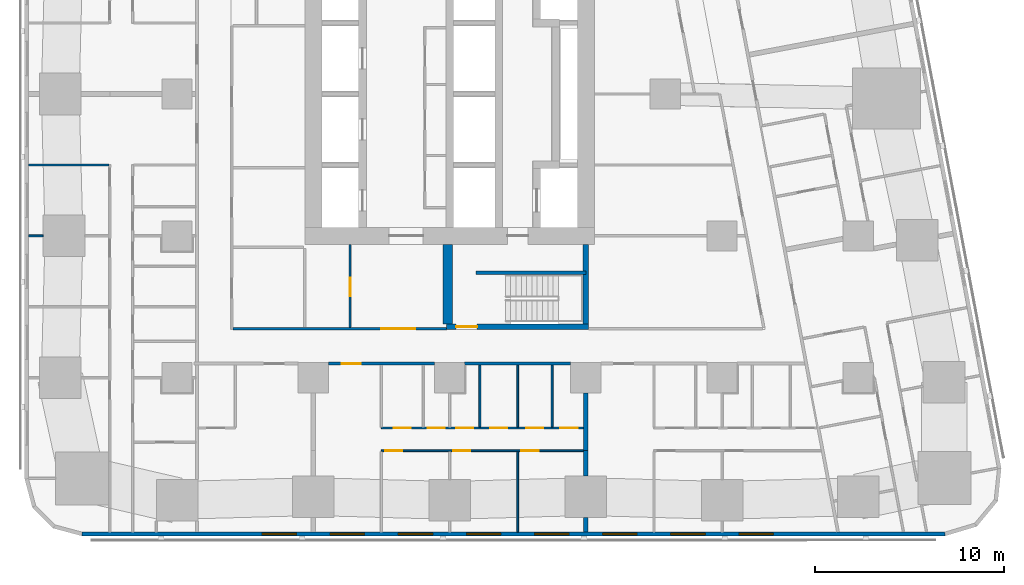
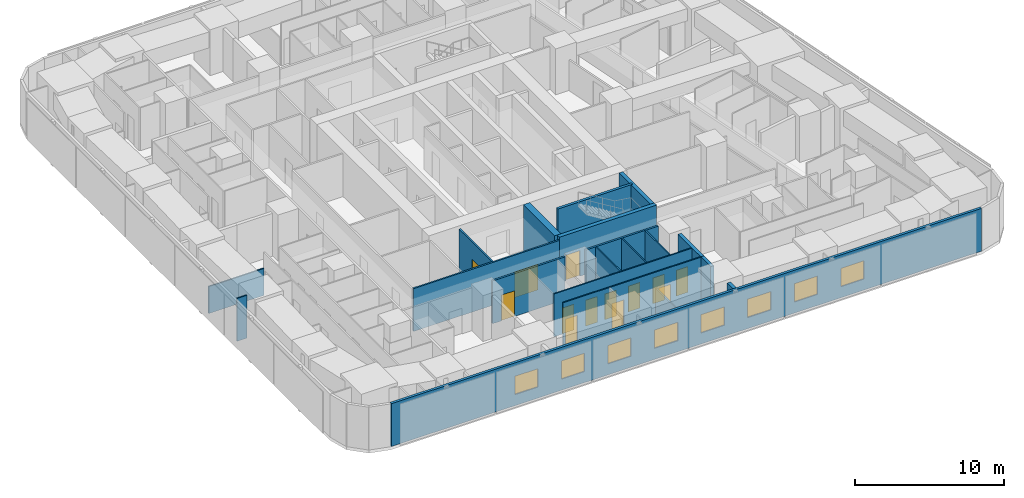
# One storey, part 3 of 15: 20 walls, 13 doors, 8 windows, 21 openings.
"""IFC4 building model written with IfcOpenShell, lengths in metres."""

from ifc_helpers import new_model, si_unit, direction, frame, frame_2d, origin, place, context, subcontext, project, spatial, rectangle, extrude, material, layer, layer_set, type_object, element, fill, save


model = new_model("IFC4")

# Units and contexts
model_context = context("Model", 3, precision=1e-05, world=origin(), true_north=direction((0.0, 1.0)))
body_context = subcontext(model_context, "Body", "Model", "MODEL_VIEW")
ifc_project = project(units=[si_unit("LENGTHUNIT", "METRE"), si_unit("AREAUNIT", "SQUARE_METRE"), si_unit("VOLUMEUNIT", "CUBIC_METRE"), si_unit("PLANEANGLEUNIT", "RADIAN"), si_unit("MASSUNIT", "GRAM", prefix="KILO")], contexts=[model_context])

# Site, building, storey
site_placement = place(None, origin())
site = spatial("IfcSite", under=ifc_project, at=site_placement, CompositionType="ELEMENT")
building_placement = place(site_placement, origin())
building = spatial("IfcBuilding", under=site, at=building_placement, Name="Sheger Commons Tower", CompositionType="ELEMENT")
storey_placement = place(building_placement, frame((0.0, 0.0, 81.64990234375)))
storey = spatial("IfcBuildingStorey", under=building, at=storey_placement, Name="L20", CompositionType="ELEMENT", Elevation=81.64990234375)

# Wall
ifc_material_1 = material(Name="Hollow concrete block masonry, skimmed both sides", Category="masonry")
ifc_layer_1 = layer(ifc_material_1, 0.14990234375)
ifc_layer_set_1 = layer_set([ifc_layer_1], Name="CORRIDOR WALL 150")
wall_type_1 = type_object("IfcWallType", Name="CORRIDOR WALL 150", PredefinedType="SOLIDWALL", material=ifc_layer_set_1)
wall_1_placement = place(storey_placement, frame((27.9990234375, 8.25, 0.0), z_axis=(0.0, 0.0, 1.0), x_axis=(-1.0, 0.0, 0.0)))
element("IfcWall", 1, at=wall_1_placement, inside=storey, type_object=wall_type_1, Name="Corridor wall L20", PredefinedType="SOLIDWALL", context=body_context, shape_type="SweptSolid", body=[
    extrude(rectangle(XDim=5.59814453125, YDim=0.14990234375, at=frame_2d((2.799072265625, 0.0))), origin(), (0.0, 0.0, 1.0), 3.5),
])

# Wall, opening, door
wall_2_placement = place(storey_placement, frame((20.799072265625, 8.25, 0.0), z_axis=(0.0, 0.0, 1.0), x_axis=(-1.0, 0.0, 0.0)))
wall_2 = element("IfcWall", 2, at=wall_2_placement, inside=storey, type_object=wall_type_1, Name="Corridor wall L20", PredefinedType="SOLIDWALL", context=body_context, shape_type="SweptSolid", body=[
    extrude(rectangle(XDim=5.59814453125, YDim=0.14990234375, at=frame_2d((2.799072265625, 0.0))), origin(), (0.0, 0.0, 1.0), 3.5),
])
opening_1_placement = place(wall_2_placement, frame((3.89892578125, 0.0, 0.0)))
opening_1 = element("IfcOpeningElement", 3, at=opening_1_placement, cuts=wall_2, Name="Opening D1", PredefinedType="OPENING", context=body_context, shape_type="SweptSolid", body=[
    extrude(rectangle(XDim=1.0, YDim=2.10009765625, at=frame_2d((0.5, 1.050048828125))), frame((0.0, 0.0849609375, 0.0), z_axis=(0.0, -1.0, 0.0), x_axis=(1.0, 0.0, 0.0)), (0.0, 0.0, 1.0), 0.169921875),
])
ifc_material_2 = material(Name="Steel door set, fire rated", Category="steel")
door_type_1 = type_object("IfcDoorType", Name="FLAT ENTRANCE DOOR 1000x2100", OperationType="NOTDEFINED", PredefinedType="DOOR", material=ifc_material_2)
door_1_placement = place(opening_1_placement, origin())
door_1 = element("IfcDoor", 4, at=door_1_placement, inside=storey, type_object=door_type_1, Name="Flat entrance door", OperationType="SINGLE_SWING_RIGHT", OverallHeight=2.10009765625, OverallWidth=1.0, PredefinedType="DOOR", context=body_context, shape_type="SweptSolid", body=[
    extrude(rectangle(XDim=1.0, YDim=2.10009765625, at=frame_2d((0.5, 1.050048828125))), frame((0.0, 0.02490234375, 0.0), z_axis=(0.0, -1.0, 0.0), x_axis=(1.0, 0.0, 0.0)), (0.0, 0.0, 1.0), 0.050048828125),
])
fill(opening_1, door_1)

# Walls
ifc_material_3 = material(Name="Dense concrete block masonry, plastered both sides (separating wall between flats)", Category="masonry")
ifc_layer_2 = layer(ifc_material_3, 0.25)
ifc_layer_set_2 = layer_set([ifc_layer_2], Name="DEMISING WALL 250")
wall_type_2 = type_object("IfcWallType", Name="DEMISING WALL 250", PredefinedType="SOLIDWALL", material=ifc_layer_set_2)
wall_3_placement = place(storey_placement, frame((28.800048828125, -0.64990234375, 0.0), z_axis=(0.0, 0.0, 1.0), x_axis=(0.0, 1.0, 0.0)))
element("IfcWall", 5, at=wall_3_placement, inside=storey, type_object=wall_type_2, Name="Demising wall L20", PredefinedType="SOLIDWALL", context=body_context, shape_type="SweptSolid", body=[
    extrude(rectangle(XDim=0.77392578125, YDim=0.25, at=frame_2d((0.386962890625, 0.0))), origin(), (0.0, 0.0, 1.0), 3.5),
])
wall_4_placement = place(storey_placement, frame((28.800048828125, 2.325927734375, 0.0), z_axis=(0.0, 0.0, 1.0), x_axis=(0.0, 1.0, 0.0)))
element("IfcWall", 6, at=wall_4_placement, inside=storey, type_object=wall_type_2, Name="Demising wall L20", PredefinedType="SOLIDWALL", context=body_context, shape_type="SweptSolid", body=[
    extrude(rectangle(XDim=1.323974609375, YDim=0.25, at=frame_2d((0.662109375, 0.0))), origin(), (0.0, 0.0, 1.0), 3.5),
])
wall_5_placement = place(storey_placement, frame((28.800048828125, 3.64990234375, 0.0), z_axis=(0.0, 0.0, 1.0), x_axis=(0.0, 1.0, 0.0)))
element("IfcWall", 7, at=wall_5_placement, inside=storey, type_object=wall_type_2, Name="Demising wall L20", PredefinedType="SOLIDWALL", context=body_context, shape_type="SweptSolid", body=[
    extrude(rectangle(XDim=3.049072265625, YDim=0.25, at=frame_2d((1.5244140625, 0.0))), origin(), (0.0, 0.0, 1.0), 3.5),
])

# Wall, openings, windows
ifc_material_4 = material(Name="Rendered concrete block masonry, dark grey", Category="masonry")
ifc_layer_3 = layer(ifc_material_4, 0.199951171875)
ifc_layer_set_3 = layer_set([ifc_layer_3], Name="FACADE WALL 200")
wall_type_3 = type_object("IfcWallType", Name="FACADE WALL 200", PredefinedType="SOLIDWALL", material=ifc_layer_set_3)
wall_6_placement = place(storey_placement, frame((2.1630859375, -0.75, 0.0), z_axis=(0.0, 0.0, 1.0), x_axis=(1.0, 0.0, 0.0)))
wall_6 = element("IfcWall", 8, at=wall_6_placement, inside=storey, type_object=wall_type_3, Name="Facade wall L20", PredefinedType="SOLIDWALL", context=body_context, shape_type="SweptSolid", body=[
    extrude(rectangle(XDim=45.6279296875, YDim=0.199951171875, at=frame_2d((22.81396484375, 0.0))), origin(), (0.0, 0.0, 1.0), 3.5),
])
opening_2_placement = place(wall_6_placement, frame((9.537109375, 0.0, 0.89990234375)))
opening_2 = element("IfcOpeningElement", 9, at=opening_2_placement, cuts=wall_6, Name="Opening W2", PredefinedType="OPENING", context=body_context, shape_type="SweptSolid", body=[
    extrude(rectangle(XDim=1.800048828125, YDim=1.5, at=frame_2d((0.89990234375, 0.75))), frame((0.0, 0.10986328125, 0.0), z_axis=(0.0, -1.0, 0.0), x_axis=(1.0, 0.0, 0.0)), (0.0, 0.0, 1.0), 0.219970703125),
])
opening_3_placement = place(wall_6_placement, frame((13.136962890625, 0.0, 0.89990234375)))
opening_3 = element("IfcOpeningElement", 10, at=opening_3_placement, cuts=wall_6, Name="Opening W2", PredefinedType="OPENING", context=body_context, shape_type="SweptSolid", body=[
    extrude(rectangle(XDim=1.800048828125, YDim=1.5, at=frame_2d((0.89990234375, 0.75))), frame((0.0, 0.10986328125, 0.0), z_axis=(0.0, -1.0, 0.0), x_axis=(1.0, 0.0, 0.0)), (0.0, 0.0, 1.0), 0.219970703125),
])
opening_4_placement = place(wall_6_placement, frame((16.737060546875, 0.0, 0.89990234375)))
opening_4 = element("IfcOpeningElement", 11, at=opening_4_placement, cuts=wall_6, Name="Opening W2", PredefinedType="OPENING", context=body_context, shape_type="SweptSolid", body=[
    extrude(rectangle(XDim=1.800048828125, YDim=1.5, at=frame_2d((0.89990234375, 0.75))), frame((0.0, 0.10986328125, 0.0), z_axis=(0.0, -1.0, 0.0), x_axis=(1.0, 0.0, 0.0)), (0.0, 0.0, 1.0), 0.219970703125),
])
opening_5_placement = place(wall_6_placement, frame((20.3369140625, 0.0, 0.89990234375)))
opening_5 = element("IfcOpeningElement", 12, at=opening_5_placement, cuts=wall_6, Name="Opening W2", PredefinedType="OPENING", context=body_context, shape_type="SweptSolid", body=[
    extrude(rectangle(XDim=1.800048828125, YDim=1.5, at=frame_2d((0.89990234375, 0.75))), frame((0.0, 0.10986328125, 0.0), z_axis=(0.0, -1.0, 0.0), x_axis=(1.0, 0.0, 0.0)), (0.0, 0.0, 1.0), 0.219970703125),
])
opening_6_placement = place(wall_6_placement, frame((23.93701171875, 0.0, 0.89990234375)))
opening_6 = element("IfcOpeningElement", 13, at=opening_6_placement, cuts=wall_6, Name="Opening W2", PredefinedType="OPENING", context=body_context, shape_type="SweptSolid", body=[
    extrude(rectangle(XDim=1.800048828125, YDim=1.5, at=frame_2d((0.89990234375, 0.75))), frame((0.0, 0.10986328125, 0.0), z_axis=(0.0, -1.0, 0.0), x_axis=(1.0, 0.0, 0.0)), (0.0, 0.0, 1.0), 0.219970703125),
])
opening_7_placement = place(wall_6_placement, frame((27.537109375, 0.0, 0.89990234375)))
opening_7 = element("IfcOpeningElement", 14, at=opening_7_placement, cuts=wall_6, Name="Opening W2", PredefinedType="OPENING", context=body_context, shape_type="SweptSolid", body=[
    extrude(rectangle(XDim=1.800048828125, YDim=1.5, at=frame_2d((0.89990234375, 0.75))), frame((0.0, 0.10986328125, 0.0), z_axis=(0.0, -1.0, 0.0), x_axis=(1.0, 0.0, 0.0)), (0.0, 0.0, 1.0), 0.219970703125),
])
opening_8_placement = place(wall_6_placement, frame((31.136962890625, 0.0, 0.89990234375)))
opening_8 = element("IfcOpeningElement", 15, at=opening_8_placement, cuts=wall_6, Name="Opening W2", PredefinedType="OPENING", context=body_context, shape_type="SweptSolid", body=[
    extrude(rectangle(XDim=1.800048828125, YDim=1.5, at=frame_2d((0.89990234375, 0.75))), frame((0.0, 0.10986328125, 0.0), z_axis=(0.0, -1.0, 0.0), x_axis=(1.0, 0.0, 0.0)), (0.0, 0.0, 1.0), 0.219970703125),
])
opening_9_placement = place(wall_6_placement, frame((34.737060546875, 0.0, 0.89990234375)))
opening_9 = element("IfcOpeningElement", 16, at=opening_9_placement, cuts=wall_6, Name="Opening W2", PredefinedType="OPENING", context=body_context, shape_type="SweptSolid", body=[
    extrude(rectangle(XDim=1.800048828125, YDim=1.5, at=frame_2d((0.89990234375, 0.75))), frame((0.0, 0.10986328125, 0.0), z_axis=(0.0, -1.0, 0.0), x_axis=(1.0, 0.0, 0.0)), (0.0, 0.0, 1.0), 0.219970703125),
])
ifc_material_5 = material(Name="Black aluminium frame, dark tinted double glazing", Category="aluminium")
window_type = type_object("IfcWindowType", Name="WINDOW W2 1800x1500", PartitioningType="SINGLE_PANEL", PredefinedType="WINDOW", material=ifc_material_5)
window_1_placement = place(opening_2_placement, origin())
window_1 = element("IfcWindow", 17, at=window_1_placement, inside=storey, type_object=window_type, Name="Window W2 1800X1500", OverallHeight=1.5, OverallWidth=1.800048828125, PartitioningType="SINGLE_PANEL", PredefinedType="WINDOW", context=body_context, shape_type="SweptSolid", body=[
    extrude(rectangle(XDim=1.800048828125, YDim=1.5, at=frame_2d((0.89990234375, 0.75))), frame((0.0, 0.030029296875, 0.0), z_axis=(0.0, -1.0, 0.0), x_axis=(1.0, 0.0, 0.0)), (0.0, 0.0, 1.0), 0.06005859375),
])
fill(opening_2, window_1)
window_2_placement = place(opening_3_placement, origin())
window_2 = element("IfcWindow", 18, at=window_2_placement, inside=storey, type_object=window_type, Name="Window W2 1800X1500", OverallHeight=1.5, OverallWidth=1.800048828125, PartitioningType="SINGLE_PANEL", PredefinedType="WINDOW", context=body_context, shape_type="SweptSolid", body=[
    extrude(rectangle(XDim=1.800048828125, YDim=1.5, at=frame_2d((0.89990234375, 0.75))), frame((0.0, 0.030029296875, 0.0), z_axis=(0.0, -1.0, 0.0), x_axis=(1.0, 0.0, 0.0)), (0.0, 0.0, 1.0), 0.06005859375),
])
fill(opening_3, window_2)
window_3_placement = place(opening_4_placement, origin())
window_3 = element("IfcWindow", 19, at=window_3_placement, inside=storey, type_object=window_type, Name="Window W2 1800X1500", OverallHeight=1.5, OverallWidth=1.800048828125, PartitioningType="SINGLE_PANEL", PredefinedType="WINDOW", context=body_context, shape_type="SweptSolid", body=[
    extrude(rectangle(XDim=1.800048828125, YDim=1.5, at=frame_2d((0.89990234375, 0.75))), frame((0.0, 0.030029296875, 0.0), z_axis=(0.0, -1.0, 0.0), x_axis=(1.0, 0.0, 0.0)), (0.0, 0.0, 1.0), 0.06005859375),
])
fill(opening_4, window_3)
window_4_placement = place(opening_5_placement, origin())
window_4 = element("IfcWindow", 20, at=window_4_placement, inside=storey, type_object=window_type, Name="Window W2 1800X1500", OverallHeight=1.5, OverallWidth=1.800048828125, PartitioningType="SINGLE_PANEL", PredefinedType="WINDOW", context=body_context, shape_type="SweptSolid", body=[
    extrude(rectangle(XDim=1.800048828125, YDim=1.5, at=frame_2d((0.89990234375, 0.75))), frame((0.0, 0.030029296875, 0.0), z_axis=(0.0, -1.0, 0.0), x_axis=(1.0, 0.0, 0.0)), (0.0, 0.0, 1.0), 0.06005859375),
])
fill(opening_5, window_4)
window_5_placement = place(opening_6_placement, origin())
window_5 = element("IfcWindow", 21, at=window_5_placement, inside=storey, type_object=window_type, Name="Window W2 1800X1500", OverallHeight=1.5, OverallWidth=1.800048828125, PartitioningType="SINGLE_PANEL", PredefinedType="WINDOW", context=body_context, shape_type="SweptSolid", body=[
    extrude(rectangle(XDim=1.800048828125, YDim=1.5, at=frame_2d((0.89990234375, 0.75))), frame((0.0, 0.030029296875, 0.0), z_axis=(0.0, -1.0, 0.0), x_axis=(1.0, 0.0, 0.0)), (0.0, 0.0, 1.0), 0.06005859375),
])
fill(opening_6, window_5)
window_6_placement = place(opening_7_placement, origin())
window_6 = element("IfcWindow", 22, at=window_6_placement, inside=storey, type_object=window_type, Name="Window W2 1800X1500", OverallHeight=1.5, OverallWidth=1.800048828125, PartitioningType="SINGLE_PANEL", PredefinedType="WINDOW", context=body_context, shape_type="SweptSolid", body=[
    extrude(rectangle(XDim=1.800048828125, YDim=1.5, at=frame_2d((0.89990234375, 0.75))), frame((0.0, 0.030029296875, 0.0), z_axis=(0.0, -1.0, 0.0), x_axis=(1.0, 0.0, 0.0)), (0.0, 0.0, 1.0), 0.06005859375),
])
fill(opening_7, window_6)
window_7_placement = place(opening_8_placement, origin())
window_7 = element("IfcWindow", 23, at=window_7_placement, inside=storey, type_object=window_type, Name="Window W2 1800X1500", OverallHeight=1.5, OverallWidth=1.800048828125, PartitioningType="SINGLE_PANEL", PredefinedType="WINDOW", context=body_context, shape_type="SweptSolid", body=[
    extrude(rectangle(XDim=1.800048828125, YDim=1.5, at=frame_2d((0.89990234375, 0.75))), frame((0.0, 0.030029296875, 0.0), z_axis=(0.0, -1.0, 0.0), x_axis=(1.0, 0.0, 0.0)), (0.0, 0.0, 1.0), 0.06005859375),
])
fill(opening_8, window_7)
window_8_placement = place(opening_9_placement, origin())
window_8 = element("IfcWindow", 24, at=window_8_placement, inside=storey, type_object=window_type, Name="Window W2 1800X1500", OverallHeight=1.5, OverallWidth=1.800048828125, PartitioningType="SINGLE_PANEL", PredefinedType="WINDOW", context=body_context, shape_type="SweptSolid", body=[
    extrude(rectangle(XDim=1.800048828125, YDim=1.5, at=frame_2d((0.89990234375, 0.75))), frame((0.0, 0.030029296875, 0.0), z_axis=(0.0, -1.0, 0.0), x_axis=(1.0, 0.0, 0.0)), (0.0, 0.0, 1.0), 0.06005859375),
])
fill(opening_9, window_8)

# Walls
ifc_material_6 = material(Name="Gypsum board on steel studs", Category="steel")
ifc_layer_4 = layer(ifc_material_6, 0.10009765625)
ifc_layer_set_4 = layer_set([ifc_layer_4], Name="PARTITION 100")
wall_type_4 = type_object("IfcWallType", Name="PARTITION 100", PredefinedType="PARTITIONING", material=ifc_layer_set_4)
wall_7_placement = place(storey_placement, frame((-0.64990234375, 15.0, 0.0), z_axis=(0.0, 0.0, 1.0), x_axis=(1.0, 0.0, 0.0)))
element("IfcWall", 25, at=wall_7_placement, inside=storey, type_object=wall_type_4, Name="Partition L20", PredefinedType="PARTITIONING", context=body_context, shape_type="SweptSolid", body=[
    extrude(rectangle(XDim=0.77392578125, YDim=0.10009765625, at=frame_2d((0.386962890625, 0.0))), origin(), (0.0, 0.0, 1.0), 3.5),
])
wall_8_placement = place(storey_placement, frame((-0.64990234375, 18.75, 0.0), z_axis=(0.0, 0.0, 1.0), x_axis=(1.0, 0.0, 0.0)))
element("IfcWall", 26, at=wall_8_placement, inside=storey, type_object=wall_type_4, Name="Partition L20", PredefinedType="PARTITIONING", context=body_context, shape_type="SweptSolid", body=[
    extrude(rectangle(XDim=4.25, YDim=0.10009765625, at=frame_2d((2.125, 0.0))), origin(), (0.0, 0.0, 1.0), 2.2001953125),
])

# Wall, openings, doors
wall_9_placement = place(storey_placement, frame((28.675048828125, 3.64990234375, 0.0), z_axis=(0.0, 0.0, 1.0), x_axis=(-1.0, 0.0, 0.0)))
wall_9 = element("IfcWall", 27, at=wall_9_placement, inside=storey, type_object=wall_type_4, Name="Partition L20", PredefinedType="PARTITIONING", context=body_context, shape_type="SweptSolid", body=[
    extrude(rectangle(XDim=10.675048828125, YDim=0.10009765625, at=frame_2d((5.33740234375, 0.0))), origin(), (0.0, 0.0, 1.0), 3.5),
])
opening_10_placement = place(wall_9_placement, frame((9.574951171875, 0.0, 0.0)))
opening_10 = element("IfcOpeningElement", 28, at=opening_10_placement, cuts=wall_9, Name="Opening D2", PredefinedType="OPENING", context=body_context, shape_type="SweptSolid", body=[
    extrude(rectangle(XDim=0.89990234375, YDim=2.10009765625, at=frame_2d((0.449951171875, 1.050048828125))), frame((0.0, 0.06005859375, 0.0), z_axis=(0.0, -1.0, 0.0), x_axis=(1.0, 0.0, 0.0)), (0.0, 0.0, 1.0), 0.1201171875),
])
opening_11_placement = place(wall_9_placement, frame((5.97509765625, 0.0, 0.0)))
opening_11 = element("IfcOpeningElement", 29, at=opening_11_placement, cuts=wall_9, Name="Opening D2", PredefinedType="OPENING", context=body_context, shape_type="SweptSolid", body=[
    extrude(rectangle(XDim=0.89990234375, YDim=2.10009765625, at=frame_2d((0.449951171875, 1.050048828125))), frame((0.0, 0.06005859375, 0.0), z_axis=(0.0, -1.0, 0.0), x_axis=(1.0, 0.0, 0.0)), (0.0, 0.0, 1.0), 0.1201171875),
])
opening_12_placement = place(wall_9_placement, frame((2.375, 0.0, 0.0)))
opening_12 = element("IfcOpeningElement", 30, at=opening_12_placement, cuts=wall_9, Name="Opening D2", PredefinedType="OPENING", context=body_context, shape_type="SweptSolid", body=[
    extrude(rectangle(XDim=0.89990234375, YDim=2.10009765625, at=frame_2d((0.449951171875, 1.050048828125))), frame((0.0, 0.06005859375, 0.0), z_axis=(0.0, -1.0, 0.0), x_axis=(1.0, 0.0, 0.0)), (0.0, 0.0, 1.0), 0.1201171875),
])
ifc_material_7 = material(Name="Timber door set", Category="wood")
door_type_2 = type_object("IfcDoorType", Name="INTERNAL DOOR 900x2100", OperationType="NOTDEFINED", PredefinedType="DOOR", material=ifc_material_7)
door_2_placement = place(opening_10_placement, origin())
door_2 = element("IfcDoor", 31, at=door_2_placement, inside=storey, type_object=door_type_2, Name="Main bedroom door", OperationType="SINGLE_SWING_RIGHT", OverallHeight=2.10009765625, OverallWidth=0.89990234375, PredefinedType="DOOR", context=body_context, shape_type="SweptSolid", body=[
    extrude(rectangle(XDim=0.89990234375, YDim=2.10009765625, at=frame_2d((0.449951171875, 1.050048828125))), frame((0.0, 0.02490234375, 0.0), z_axis=(0.0, -1.0, 0.0), x_axis=(1.0, 0.0, 0.0)), (0.0, 0.0, 1.0), 0.050048828125),
])
fill(opening_10, door_2)
door_3_placement = place(opening_11_placement, origin())
door_3 = element("IfcDoor", 32, at=door_3_placement, inside=storey, type_object=door_type_2, Name="Bedroom 2 door", OperationType="SINGLE_SWING_RIGHT", OverallHeight=2.10009765625, OverallWidth=0.89990234375, PredefinedType="DOOR", context=body_context, shape_type="SweptSolid", body=[
    extrude(rectangle(XDim=0.89990234375, YDim=2.10009765625, at=frame_2d((0.449951171875, 1.050048828125))), frame((0.0, 0.02490234375, 0.0), z_axis=(0.0, -1.0, 0.0), x_axis=(1.0, 0.0, 0.0)), (0.0, 0.0, 1.0), 0.050048828125),
])
fill(opening_11, door_3)
door_4_placement = place(opening_12_placement, origin())
door_4 = element("IfcDoor", 33, at=door_4_placement, inside=storey, type_object=door_type_2, Name="Bedroom 3 door", OperationType="SINGLE_SWING_RIGHT", OverallHeight=2.10009765625, OverallWidth=0.89990234375, PredefinedType="DOOR", context=body_context, shape_type="SweptSolid", body=[
    extrude(rectangle(XDim=0.89990234375, YDim=2.10009765625, at=frame_2d((0.449951171875, 1.050048828125))), frame((0.0, 0.02490234375, 0.0), z_axis=(0.0, -1.0, 0.0), x_axis=(1.0, 0.0, 0.0)), (0.0, 0.0, 1.0), 0.050048828125),
])
fill(opening_12, door_4)

wall_10_placement = place(storey_placement, frame((28.675048828125, 4.85009765625, 0.0), z_axis=(0.0, 0.0, 1.0), x_axis=(-1.0, 0.0, 0.0)))
wall_10 = element("IfcWall", 34, at=wall_10_placement, inside=storey, type_object=wall_type_4, Name="Partition L20", PredefinedType="PARTITIONING", context=body_context, shape_type="SweptSolid", body=[
    extrude(rectangle(XDim=10.675048828125, YDim=0.10009765625, at=frame_2d((5.33740234375, 0.0))), origin(), (0.0, 0.0, 1.0), 3.5),
])
opening_13_placement = place(wall_10_placement, frame((9.1201171875, 0.0, 0.0)))
opening_13 = element("IfcOpeningElement", 35, at=opening_13_placement, cuts=wall_10, Name="Opening D2", PredefinedType="OPENING", context=body_context, shape_type="SweptSolid", body=[
    extrude(rectangle(XDim=0.89990234375, YDim=2.10009765625, at=frame_2d((0.449951171875, 1.050048828125))), frame((0.0, 0.06005859375, 0.0), z_axis=(0.0, -1.0, 0.0), x_axis=(1.0, 0.0, 0.0)), (0.0, 0.0, 1.0), 0.1201171875),
])
opening_14_placement = place(wall_10_placement, frame((5.824951171875, 0.0, 0.0)))
opening_14 = element("IfcOpeningElement", 36, at=opening_14_placement, cuts=wall_10, Name="Opening D2", PredefinedType="OPENING", context=body_context, shape_type="SweptSolid", body=[
    extrude(rectangle(XDim=0.89990234375, YDim=2.10009765625, at=frame_2d((0.449951171875, 1.050048828125))), frame((0.0, 0.06005859375, 0.0), z_axis=(0.0, -1.0, 0.0), x_axis=(1.0, 0.0, 0.0)), (0.0, 0.0, 1.0), 0.1201171875),
])
opening_15_placement = place(wall_10_placement, frame((2.114990234375, 0.0, 0.0)))
opening_15 = element("IfcOpeningElement", 37, at=opening_15_placement, cuts=wall_10, Name="Opening D2", PredefinedType="OPENING", context=body_context, shape_type="SweptSolid", body=[
    extrude(rectangle(XDim=0.89990234375, YDim=2.10009765625, at=frame_2d((0.449951171875, 1.050048828125))), frame((0.0, 0.06005859375, 0.0), z_axis=(0.0, -1.0, 0.0), x_axis=(1.0, 0.0, 0.0)), (0.0, 0.0, 1.0), 0.1201171875),
])
opening_16_placement = place(wall_10_placement, frame((7.320068359375, 0.0, 0.0)))
opening_16 = element("IfcOpeningElement", 38, at=opening_16_placement, cuts=wall_10, Name="Opening D2", PredefinedType="OPENING", context=body_context, shape_type="SweptSolid", body=[
    extrude(rectangle(XDim=0.89990234375, YDim=2.10009765625, at=frame_2d((0.449951171875, 1.050048828125))), frame((0.0, 0.06005859375, 0.0), z_axis=(0.0, -1.0, 0.0), x_axis=(1.0, 0.0, 0.0)), (0.0, 0.0, 1.0), 0.1201171875),
])
opening_17_placement = place(wall_10_placement, frame((4.02490234375, 0.0, 0.0)))
opening_17 = element("IfcOpeningElement", 39, at=opening_17_placement, cuts=wall_10, Name="Opening D2", PredefinedType="OPENING", context=body_context, shape_type="SweptSolid", body=[
    extrude(rectangle(XDim=0.89990234375, YDim=2.10009765625, at=frame_2d((0.449951171875, 1.050048828125))), frame((0.0, 0.06005859375, 0.0), z_axis=(0.0, -1.0, 0.0), x_axis=(1.0, 0.0, 0.0)), (0.0, 0.0, 1.0), 0.1201171875),
])
opening_18_placement = place(wall_10_placement, frame((0.31494140625, 0.0, 0.0)))
opening_18 = element("IfcOpeningElement", 40, at=opening_18_placement, cuts=wall_10, Name="Opening D2", PredefinedType="OPENING", context=body_context, shape_type="SweptSolid", body=[
    extrude(rectangle(XDim=0.89990234375, YDim=2.10009765625, at=frame_2d((0.449951171875, 1.050048828125))), frame((0.0, 0.06005859375, 0.0), z_axis=(0.0, -1.0, 0.0), x_axis=(1.0, 0.0, 0.0)), (0.0, 0.0, 1.0), 0.1201171875),
])
door_5_placement = place(opening_13_placement, origin())
door_5 = element("IfcDoor", 41, at=door_5_placement, inside=storey, type_object=door_type_2, Name="Bathroom door", OperationType="SINGLE_SWING_LEFT", OverallHeight=2.10009765625, OverallWidth=0.89990234375, PredefinedType="DOOR", context=body_context, shape_type="SweptSolid", body=[
    extrude(rectangle(XDim=0.89990234375, YDim=2.10009765625, at=frame_2d((0.449951171875, 1.050048828125))), frame((0.0, 0.02490234375, 0.0), z_axis=(0.0, -1.0, 0.0), x_axis=(1.0, 0.0, 0.0)), (0.0, 0.0, 1.0), 0.050048828125),
])
fill(opening_13, door_5)
door_6_placement = place(opening_14_placement, origin())
door_6 = element("IfcDoor", 42, at=door_6_placement, inside=storey, type_object=door_type_2, Name="Shower room door", OperationType="SINGLE_SWING_LEFT", OverallHeight=2.10009765625, OverallWidth=0.89990234375, PredefinedType="DOOR", context=body_context, shape_type="SweptSolid", body=[
    extrude(rectangle(XDim=0.89990234375, YDim=2.10009765625, at=frame_2d((0.449951171875, 1.050048828125))), frame((0.0, 0.02490234375, 0.0), z_axis=(0.0, -1.0, 0.0), x_axis=(1.0, 0.0, 0.0)), (0.0, 0.0, 1.0), 0.050048828125),
])
fill(opening_14, door_6)
door_7_placement = place(opening_15_placement, origin())
door_7 = element("IfcDoor", 43, at=door_7_placement, inside=storey, type_object=door_type_2, Name="Laundry room door", OperationType="SINGLE_SWING_LEFT", OverallHeight=2.10009765625, OverallWidth=0.89990234375, PredefinedType="DOOR", context=body_context, shape_type="SweptSolid", body=[
    extrude(rectangle(XDim=0.89990234375, YDim=2.10009765625, at=frame_2d((0.449951171875, 1.050048828125))), frame((0.0, 0.02490234375, 0.0), z_axis=(0.0, -1.0, 0.0), x_axis=(1.0, 0.0, 0.0)), (0.0, 0.0, 1.0), 0.050048828125),
])
fill(opening_15, door_7)
door_8_placement = place(opening_16_placement, origin())
door_8 = element("IfcDoor", 44, at=door_8_placement, inside=storey, type_object=door_type_2, Name="Store door", OperationType="SINGLE_SWING_RIGHT", OverallHeight=2.10009765625, OverallWidth=0.89990234375, PredefinedType="DOOR", context=body_context, shape_type="SweptSolid", body=[
    extrude(rectangle(XDim=0.89990234375, YDim=2.10009765625, at=frame_2d((0.449951171875, 1.050048828125))), frame((0.0, 0.02490234375, 0.0), z_axis=(0.0, -1.0, 0.0), x_axis=(1.0, 0.0, 0.0)), (0.0, 0.0, 1.0), 0.050048828125),
])
fill(opening_16, door_8)
door_9_placement = place(opening_17_placement, origin())
door_9 = element("IfcDoor", 45, at=door_9_placement, inside=storey, type_object=door_type_2, Name="Store door", OperationType="SINGLE_SWING_RIGHT", OverallHeight=2.10009765625, OverallWidth=0.89990234375, PredefinedType="DOOR", context=body_context, shape_type="SweptSolid", body=[
    extrude(rectangle(XDim=0.89990234375, YDim=2.10009765625, at=frame_2d((0.449951171875, 1.050048828125))), frame((0.0, 0.02490234375, 0.0), z_axis=(0.0, -1.0, 0.0), x_axis=(1.0, 0.0, 0.0)), (0.0, 0.0, 1.0), 0.050048828125),
])
fill(opening_17, door_9)
door_10_placement = place(opening_18_placement, origin())
door_10 = element("IfcDoor", 46, at=door_10_placement, inside=storey, type_object=door_type_2, Name="Store door", OperationType="SINGLE_SWING_RIGHT", OverallHeight=2.10009765625, OverallWidth=0.89990234375, PredefinedType="DOOR", context=body_context, shape_type="SweptSolid", body=[
    extrude(rectangle(XDim=0.89990234375, YDim=2.10009765625, at=frame_2d((0.449951171875, 1.050048828125))), frame((0.0, 0.02490234375, 0.0), z_axis=(0.0, -1.0, 0.0), x_axis=(1.0, 0.0, 0.0)), (0.0, 0.0, 1.0), 0.050048828125),
])
fill(opening_18, door_10)

# Walls
wall_11_placement = place(storey_placement, frame((25.199951171875, -0.64990234375, 0.0), z_axis=(0.0, 0.0, 1.0), x_axis=(0.0, 1.0, 0.0)))
element("IfcWall", 47, at=wall_11_placement, inside=storey, type_object=wall_type_4, Name="Partition L20", PredefinedType="PARTITIONING", context=body_context, shape_type="SweptSolid", body=[
    extrude(rectangle(XDim=4.25, YDim=0.10009765625, at=frame_2d((2.125, 0.0))), origin(), (0.0, 0.0, 1.0), 2.2001953125),
])
for number, where, z_axis, x_axis, name in (
    (48, (25.199951171875, 4.89990234375, 0.0), (0.0, 0.0, 1.0), (0.0, 1.0, 0.0), "Partition L20"),
    (49, (23.199951171875, 4.89990234375, 0.0), (0.0, 0.0, 1.0), (0.0, 1.0, 0.0), "Partition L20"),
    (50, (27.02001953125, 4.89990234375, 0.0), (0.0, 0.0, 1.0), (0.0, 1.0, 0.0), "Partition L20"),
):
    element("IfcWall", number, at=place(storey_placement, frame(where, z_axis=z_axis, x_axis=x_axis)), inside=storey, type_object=wall_type_4, Name=name, PredefinedType="PARTITIONING", context=body_context, shape_type="SweptSolid", body=[
        extrude(rectangle(XDim=3.275146484375, YDim=0.10009765625, at=frame_2d((1.6376953125, 0.0))), origin(), (0.0, 0.0, 1.0), 3.5),
    ])

# Wall, opening, door
ifc_material_8 = material(Name="Gypsum board on steel studs, two layers each side, fire rated", Category="steel")
ifc_layer_5 = layer(ifc_material_8, 0.125)
ifc_layer_set_5 = layer_set([ifc_layer_5], Name="SERVICE WALL 125")
wall_type_5 = type_object("IfcWallType", Name="SERVICE WALL 125", PredefinedType="PARTITIONING", material=ifc_layer_set_5)
wall_12_placement = place(storey_placement, frame((10.1630859375, 10.10009765625, 0.0), z_axis=(0.0, 0.0, 1.0), x_axis=(1.0, 0.0, 0.0)))
wall_12 = element("IfcWall", 51, at=wall_12_placement, inside=storey, type_object=wall_type_5, Name="Service room wall L20", PredefinedType="PARTITIONING", context=body_context, shape_type="SweptSolid", body=[
    extrude(rectangle(XDim=11.286865234375, YDim=0.125, at=frame_2d((5.6435546875, 0.0))), origin(), (0.0, 0.0, 1.0), 3.5),
])
opening_19_placement = place(wall_12_placement, frame((7.83203125, 0.0, 0.0)))
opening_19 = element("IfcOpeningElement", 52, at=opening_19_placement, cuts=wall_12, Name="Opening D6", PredefinedType="OPENING", context=body_context, shape_type="SweptSolid", body=[
    extrude(rectangle(XDim=1.800048828125, YDim=2.10009765625, at=frame_2d((0.89990234375, 1.050048828125))), frame((0.0, 0.072509765625, 0.0), z_axis=(0.0, -1.0, 0.0), x_axis=(1.0, 0.0, 0.0)), (0.0, 0.0, 1.0), 0.14501953125),
])
ifc_material_9 = material(Name="Steel door set, fire rated", Category="steel")
door_type_3 = type_object("IfcDoorType", Name="LOBBY DOUBLE DOOR 1800x2100", OperationType="DOUBLE_DOOR_SINGLE_SWING", PredefinedType="DOOR", material=ifc_material_9)
door_11_placement = place(opening_19_placement, origin())
door_11 = element("IfcDoor", 53, at=door_11_placement, inside=storey, type_object=door_type_3, Name="Lift lobby south door", OperationType="DOUBLE_DOOR_SINGLE_SWING", OverallHeight=2.10009765625, OverallWidth=1.800048828125, PredefinedType="DOOR", context=body_context, shape_type="SweptSolid", body=[
    extrude(rectangle(XDim=1.800048828125, YDim=2.10009765625, at=frame_2d((0.89990234375, 1.050048828125))), frame((0.0, 0.02490234375, 0.0), z_axis=(0.0, -1.0, 0.0), x_axis=(1.0, 0.0, 0.0)), (0.0, 0.0, 1.0), 0.050048828125),
])
fill(opening_19, door_11)

wall_13_placement = place(storey_placement, frame((16.340087890625, 10.1630859375, 0.0), z_axis=(0.0, 0.0, 1.0), x_axis=(0.0, 1.0, 0.0)))
wall_13 = element("IfcWall", 54, at=wall_13_placement, inside=storey, type_object=wall_type_5, Name="Service room wall L20", PredefinedType="PARTITIONING", context=body_context, shape_type="SweptSolid", body=[
    extrude(rectangle(XDim=4.386962890625, YDim=0.125, at=frame_2d((2.193359375, 0.0))), origin(), (0.0, 0.0, 1.0), 3.5),
])
opening_20_placement = place(wall_13_placement, frame((1.636962890625, 0.0, 0.0)))
opening_20 = element("IfcOpeningElement", 55, at=opening_20_placement, cuts=wall_13, Name="Opening D4", PredefinedType="OPENING", context=body_context, shape_type="SweptSolid", body=[
    extrude(rectangle(XDim=1.0, YDim=2.10009765625, at=frame_2d((0.5, 1.050048828125))), frame((0.0, 0.072509765625, 0.0), z_axis=(0.0, -1.0, 0.0), x_axis=(1.0, 0.0, 0.0)), (0.0, 0.0, 1.0), 0.14501953125),
])
ifc_material_10 = material(Name="Steel door set, fire rated", Category="steel")
door_type_4 = type_object("IfcDoorType", Name="SERVICE DOOR 1000x2100", OperationType="NOTDEFINED", PredefinedType="DOOR", material=ifc_material_10)
door_12_placement = place(opening_20_placement, origin())
door_12 = element("IfcDoor", 56, at=door_12_placement, inside=storey, type_object=door_type_4, Name="Electrical room door", OperationType="SINGLE_SWING_LEFT", OverallHeight=2.10009765625, OverallWidth=1.0, PredefinedType="DOOR", context=body_context, shape_type="SweptSolid", body=[
    extrude(rectangle(XDim=1.0, YDim=2.10009765625, at=frame_2d((0.5, 1.050048828125))), frame((0.0, 0.02490234375, 0.0), z_axis=(0.0, -1.0, 0.0), x_axis=(1.0, 0.0, 0.0)), (0.0, 0.0, 1.0), 0.050048828125),
])
fill(opening_20, door_12)

ifc_material_11 = material(Name="Concrete C50/60", Category="concrete")
ifc_layer_6 = layer(ifc_material_11, 0.300048828125)
ifc_layer_set_6 = layer_set([ifc_layer_6], Name="STAIR CORE WALL 300")
wall_type_6 = type_object("IfcWallType", Name="STAIR CORE WALL 300", PredefinedType="SHEAR", material=ifc_layer_set_6)
wall_14_placement = place(storey_placement, frame((21.449951171875, 10.199951171875, 0.0), z_axis=(0.0, 0.0, 1.0), x_axis=(1.0, 0.0, 0.0)))
wall_14 = element("IfcWall", 57, at=wall_14_placement, inside=storey, type_object=wall_type_6, Name="STW-L20-S1S", PredefinedType="SHEAR", context=body_context, shape_type="SweptSolid", body=[
    extrude(rectangle(XDim=7.5, YDim=0.300048828125, at=frame_2d((3.75, 0.0))), origin(), (0.0, 0.0, 1.0), 3.75),
])
opening_21_placement = place(wall_14_placement, frame((0.5, 0.0, 0.0)))
opening_21 = element("IfcOpeningElement", 58, at=opening_21_placement, cuts=wall_14, Name="Opening D5", PredefinedType="OPENING", context=body_context, shape_type="SweptSolid", body=[
    extrude(rectangle(XDim=1.10009765625, YDim=2.10009765625, at=frame_2d((0.550048828125, 1.050048828125))), frame((0.0, 0.159912109375, 0.0), z_axis=(0.0, -1.0, 0.0), x_axis=(1.0, 0.0, 0.0)), (0.0, 0.0, 1.0), 0.320068359375),
])
ifc_material_12 = material(Name="Steel door set, fire rated", Category="steel")
door_type_5 = type_object("IfcDoorType", Name="STAIR DOOR 1100x2100", OperationType="NOTDEFINED", PredefinedType="DOOR", material=ifc_material_12)
door_13_placement = place(opening_21_placement, origin())
door_13 = element("IfcDoor", 59, at=door_13_placement, inside=storey, type_object=door_type_5, Name="Stair S1 door", OperationType="SINGLE_SWING_LEFT", OverallHeight=2.10009765625, OverallWidth=1.10009765625, PredefinedType="DOOR", context=body_context, shape_type="SweptSolid", body=[
    extrude(rectangle(XDim=1.10009765625, YDim=2.10009765625, at=frame_2d((0.550048828125, 1.050048828125))), frame((0.0, 0.02490234375, 0.0), z_axis=(0.0, -1.0, 0.0), x_axis=(1.0, 0.0, 0.0)), (0.0, 0.0, 1.0), 0.050048828125),
])
fill(opening_21, door_13)

# Walls
wall_15_placement = place(storey_placement, frame((28.800048828125, 10.35009765625, 0.0), z_axis=(0.0, 0.0, 1.0), x_axis=(0.0, 1.0, 0.0)))
element("IfcWall", 60, at=wall_15_placement, inside=storey, type_object=wall_type_6, Name="STW-L20-S1E", PredefinedType="SHEAR", context=body_context, shape_type="SweptSolid", body=[
    extrude(rectangle(XDim=4.199951171875, YDim=0.300048828125, at=frame_2d((2.10009765625, 0.0))), origin(), (0.0, 0.0, 1.0), 3.75),
])
ifc_material_13 = material(Name="Concrete C50/60", Category="concrete")
ifc_layer_7 = layer(ifc_material_13, 0.5)
ifc_layer_set_7 = layer_set([ifc_layer_7], Name="STAIR CORE WALL 500")
wall_type_7 = type_object("IfcWallType", Name="STAIR CORE WALL 500", PredefinedType="SHEAR", material=ifc_layer_set_7)
wall_16_placement = place(storey_placement, frame((21.5, 10.35009765625, 0.0), z_axis=(0.0, 0.0, 1.0), x_axis=(0.0, 1.0, 0.0)))
element("IfcWall", 61, at=wall_16_placement, inside=storey, type_object=wall_type_7, Name="STW-L20-S1W", PredefinedType="SHEAR", context=body_context, shape_type="SweptSolid", body=[
    extrude(rectangle(XDim=4.199951171875, YDim=0.5, at=frame_2d((2.10009765625, 0.0))), origin(), (0.0, 0.0, 1.0), 3.75),
])
ifc_material_14 = material(Name="Concrete C50/60", Category="concrete")
ifc_layer_8 = layer(ifc_material_14, 0.199951171875)
ifc_layer_set_8 = layer_set([ifc_layer_8], Name="STAIR SPINE WALL 200")
wall_type_8 = type_object("IfcWallType", Name="STAIR SPINE WALL 200", PredefinedType="SHEAR", material=ifc_layer_set_8)
wall_17_placement = place(storey_placement, frame((23.0, 13.050048828125, 0.0), z_axis=(0.0, 0.0, 1.0), x_axis=(1.0, 0.0, 0.0)))
element("IfcWall", 62, at=wall_17_placement, inside=storey, type_object=wall_type_8, Name="Stair spine wall L20", PredefinedType="SHEAR", context=body_context, shape_type="SweptSolid", body=[
    extrude(rectangle(XDim=5.800048828125, YDim=0.199951171875, at=frame_2d((2.89990234375, 0.0))), origin(), (0.0, 0.0, 1.0), 3.75),
])

save(model, "model.ifc")
